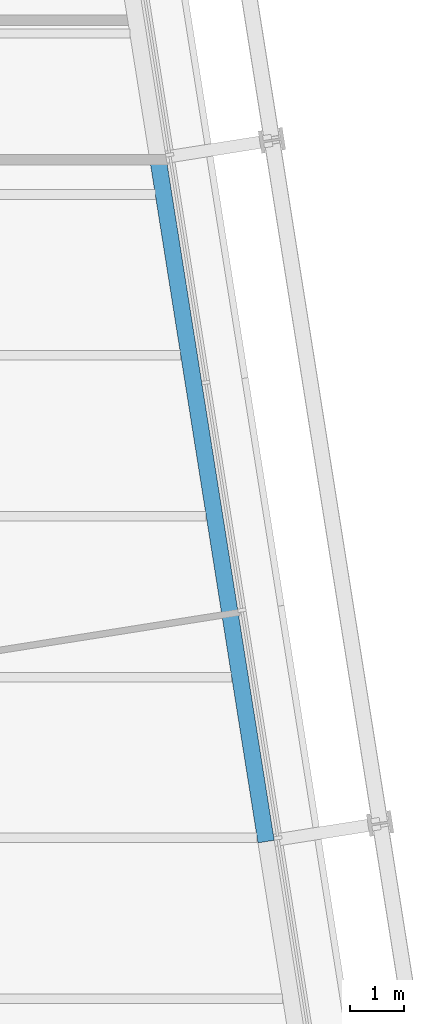
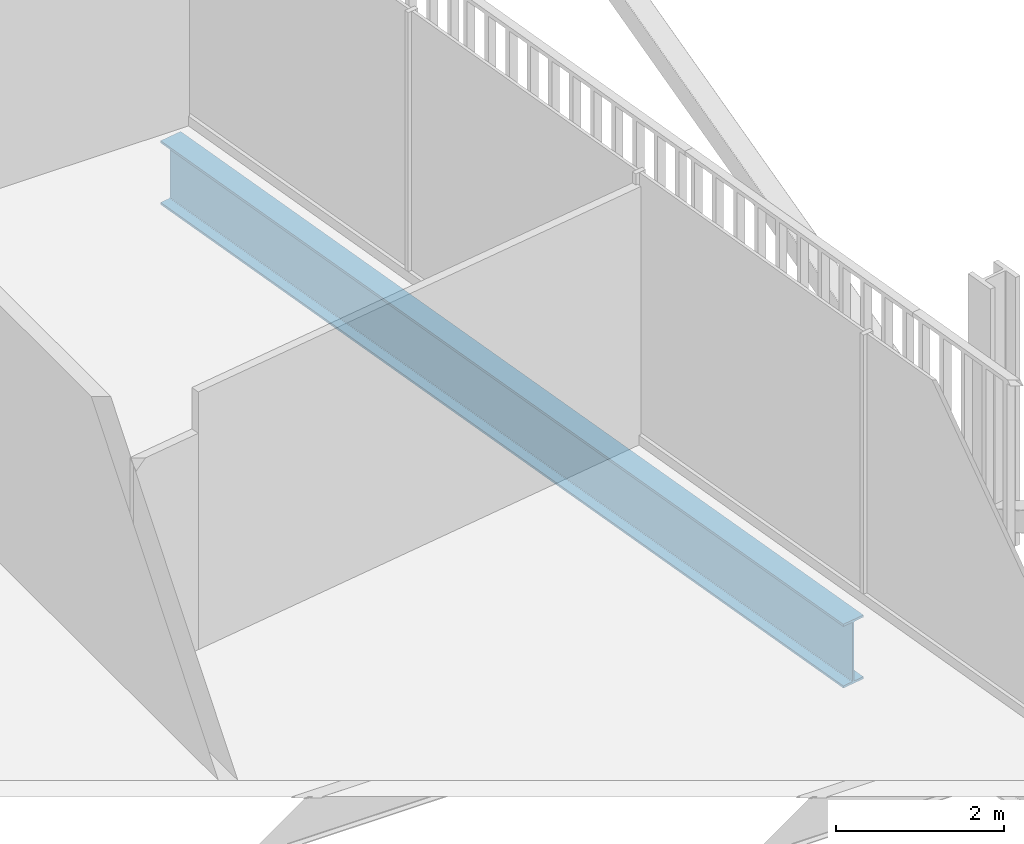
# One storey, part 9 of 22: 1 beam.
"""IFC4 building model written with IfcOpenShell, lengths in metres."""

from ifc_helpers import new_model, si_unit, direction, frame, origin, origin_2d, place, context, subcontext, project, spatial, i_section, extrude, material, material_profile, profile_set, type_object, element, save


model = new_model("IFC4")

# Units and contexts
model_context = context("Model", 3, precision=1e-05, world=origin(), true_north=direction((0.0, 1.0)))
body_context = subcontext(model_context, "Body", "Model", "MODEL_VIEW")
ifc_project = project(units=[si_unit("LENGTHUNIT", "METRE"), si_unit("AREAUNIT", "SQUARE_METRE"), si_unit("VOLUMEUNIT", "CUBIC_METRE"), si_unit("PLANEANGLEUNIT", "RADIAN"), si_unit("MASSUNIT", "GRAM", prefix="KILO")], contexts=[model_context])

# Site, building, storey
site_placement = place(None, origin())
site = spatial("IfcSite", under=ifc_project, at=site_placement, CompositionType="ELEMENT")
building_placement = place(site_placement, origin())
building = spatial("IfcBuilding", under=site, at=building_placement, Name="Millrace Tower", CompositionType="ELEMENT")
storey_placement = place(building_placement, frame((0.0, 0.0, 180.0)))
storey = spatial("IfcBuildingStorey", under=building, at=storey_placement, Name="L40", CompositionType="ELEMENT", Elevation=180.0)

# Beam
ifc_material = material(Name="Steel ASTM A992 Grade 50", Category="steel")
ifc_material_profile = material_profile(ifc_material, i_section(OverallWidth=0.307373046875, OverallDepth=0.927001953125, WebThickness=0.01953125, FlangeThickness=0.031982421875, FilletRadius=0.01904296875, at=origin_2d()))
ifc_profile_set = profile_set([ifc_material_profile], Name="Steel ASTM A992 Grade 50")
beam_type = type_object("IfcBeamType", Name="Ring beam medium span W36x194", PredefinedType="SPANDREL", material=ifc_profile_set)
beam_placement = place(storey_placement, frame((23.25, 9.6728515625, -0.62353515625), z_axis=(0.15642030113, -0.987690583834, 0.0), x_axis=(0.987690583834, 0.15642030113, 0.0)))
element("IfcBeam", 1, at=beam_placement, inside=storey, type_object=beam_type, Name="RNG-C-L40-S1-10", PredefinedType="SPANDREL", context=body_context, shape_type="SweptSolid", body=[
    extrude(i_section(OverallWidth=0.307373046875, OverallDepth=0.927001953125, WebThickness=0.01953125, FlangeThickness=0.031982421875, FilletRadius=0.01904296875, at=origin_2d()), origin(), (0.0, 0.0, 1.0), 12.89990234375),
])

save(model, "model.ifc")
